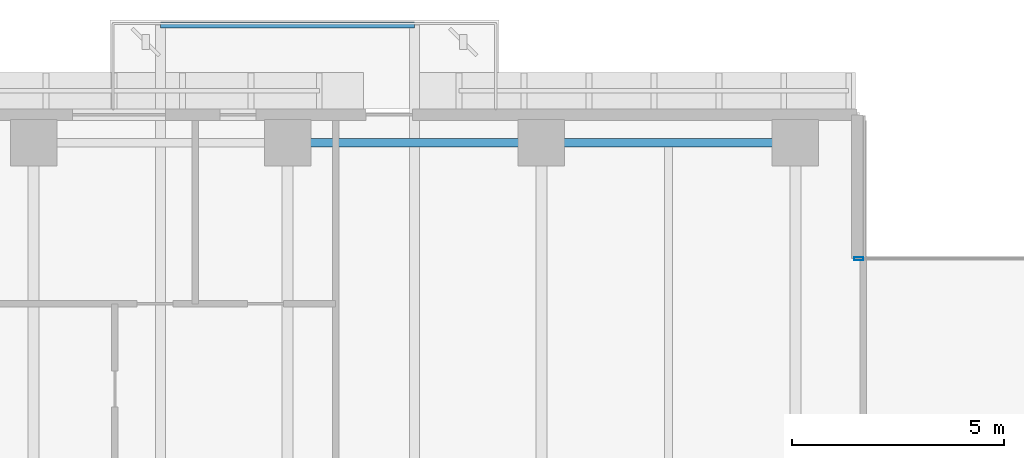
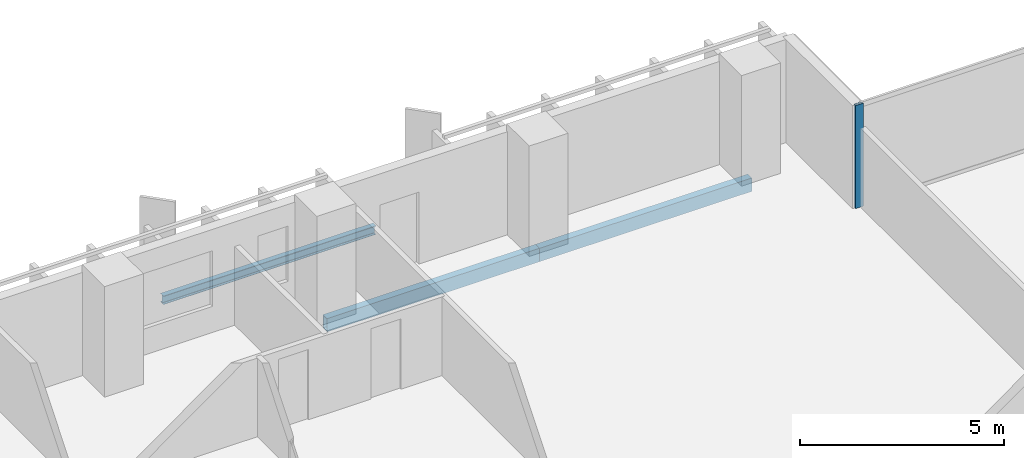
# One storey, part 9 of 34: 3 beams, 1 member, 1 element without a shape of its own.
"""IFC4 building model written with IfcOpenShell, lengths in metres."""

from ifc_helpers import new_model, si_unit, direction, frame, origin, origin_2d, place, context, subcontext, project, spatial, hollow_rectangle, i_section, extrude, material, layer, layer_set, material_profile, profile_set, type_object, element, aggregate, save


model = new_model("IFC4")

# Units and contexts
model_context = context("Model", 3, precision=1e-05, world=origin(), true_north=direction((0.0, 1.0)))
body_context = subcontext(model_context, "Body", "Model", "MODEL_VIEW")
ifc_project = project(units=[si_unit("LENGTHUNIT", "METRE"), si_unit("AREAUNIT", "SQUARE_METRE"), si_unit("VOLUMEUNIT", "CUBIC_METRE"), si_unit("PLANEANGLEUNIT", "RADIAN"), si_unit("MASSUNIT", "GRAM", prefix="KILO")], contexts=[model_context])

# Site, building, storey
site_placement = place(None, origin())
site = spatial("IfcSite", under=ifc_project, at=site_placement, CompositionType="ELEMENT")
building_placement = place(site_placement, origin())
building = spatial("IfcBuilding", under=site, at=building_placement, Name="Tanjung Sevakor Pilgrim Tower", CompositionType="ELEMENT")
storey_placement = place(building_placement, frame((0.0, 0.0, 55.43994140625)))
storey = spatial("IfcBuildingStorey", under=building, at=storey_placement, Name="L15", CompositionType="ELEMENT", Elevation=55.43994140625)

# Beams
ifc_material_1 = material(Name="Steel S355J2", Category="steel")
ifc_material_profile_1 = material_profile(ifc_material_1, i_section(OverallWidth=0.146484375, OverallDepth=0.256103515625, WebThickness=0.00634765625, FlangeThickness=0.010986328125, FilletRadius=0.007568359375, at=origin_2d()))
ifc_profile_set_1 = profile_set([ifc_material_profile_1], Name="Steel S355J2")
beam_type_1 = type_object("IfcBeamType", Name="BM-B-J6-UB_254x146x37", PredefinedType="JOIST", material=ifc_profile_set_1)
beam_placement = place(storey_placement, frame((27.0, 61.580078125, -0.327880859375), z_axis=(1.0, 0.0, 0.0), x_axis=(0.0, 1.0, 0.0)))
element("IfcBeam", 1, at=beam_placement, inside=storey, type_object=beam_type_1, Name="L15 Balcony Rim Tie MAIN-N1", PredefinedType="JOIST", context=body_context, shape_type="SweptSolid", body=[
    extrude(i_section(OverallWidth=0.146484375, OverallDepth=0.256103515625, WebThickness=0.00634765625, FlangeThickness=0.010986328125, FilletRadius=0.007568359375, at=origin_2d()), origin(), (0.0, 0.0, 1.0), 6.0),
])
ifc_material_2 = material(Name="Steel S355J2", Category="steel")
ifc_material_profile_2 = material_profile(ifc_material_2, hollow_rectangle(XDim=0.199951171875, YDim=0.39990234375, WallThickness=0.01611328125, at=origin_2d()))
ifc_profile_set_2 = profile_set([ifc_material_profile_2], Name="Steel S355J2")
beam_type_2 = type_object("IfcBeamType", Name="BM-B-SP2-RHS_400x200x16", PredefinedType="SPANDREL", material=ifc_profile_set_2)
for number, where, z_axis, x_axis, name in (
    (2, (30.0, 58.800048828125, -0.419921875), (1.0, 0.0, 0.0), (0.0, 1.0, 0.0), "L15 Spandrel MAIN N-04"),
    (3, (36.0, 58.800048828125, -0.419921875), (1.0, 0.0, 0.0), (0.0, 1.0, 0.0), "L15 Spandrel MAIN N-06"),
):
    element("IfcBeam", number, at=place(storey_placement, frame(where, z_axis=z_axis, x_axis=x_axis)), inside=storey, type_object=beam_type_2, Name=name, PredefinedType="SPANDREL", context=body_context, shape_type="SweptSolid", body=[
        extrude(hollow_rectangle(XDim=0.199951171875, YDim=0.39990234375, WallThickness=0.01611328125, at=origin_2d()), origin(), (0.0, 0.0, 1.0), 6.0),
    ])

# Curtain wall, member
ifc_material_3 = material(Name="Aluminium 6063-T6 and Low-E Glass", Category="aluminium")
ifc_layer = layer(ifc_material_3, 0.179931640625)
ifc_layer_set = layer_set([ifc_layer], Name="CW-SYS-CLEFT")
curtain_wall_type = type_object("IfcCurtainWallType", Name="CW-SYS-CLEFT", PredefinedType="NOTDEFINED", material=ifc_layer_set)
curtain_wall_placement = place(storey_placement, origin())
curtain_wall = element("IfcCurtainWall", 4, at=curtain_wall_placement, inside=storey, type_object=curtain_wall_type, Name="L15 Curtain Wall CW-CLF-L15-10", PredefinedType="NOTDEFINED")
ifc_material_4 = material(Name="Aluminium 6063-T6", Category="aluminium")
ifc_material_profile_3 = material_profile(ifc_material_4, hollow_rectangle(XDim=0.074951171875, YDim=0.219970703125, WallThickness=0.0048828125, at=origin_2d()))
ifc_profile_set_3 = profile_set([ifc_material_profile_3], Name="Aluminium 6063-T6")
member_type = type_object("IfcMemberType", Name="TYPE-CWM-2", PredefinedType="MULLION", material=ifc_profile_set_3)
member_placement = place(storey_placement, frame((43.49755859375, 56.06005859375, 0.0), z_axis=(0.0, 0.0, 1.0), x_axis=(0.0, -1.0, 0.0)))
member = element("IfcMember", 5, at=member_placement, type_object=member_type, Name="CW-CLF mullion 2", PredefinedType="MULLION", context=body_context, shape_type="SweptSolid", body=[
    extrude(hollow_rectangle(XDim=0.074951171875, YDim=0.219970703125, WallThickness=0.0048828125, at=origin_2d()), origin(), (0.0, 0.0, 1.0), 3.080078125),
])
aggregate(curtain_wall, [member])

save(model, "model.ifc")
